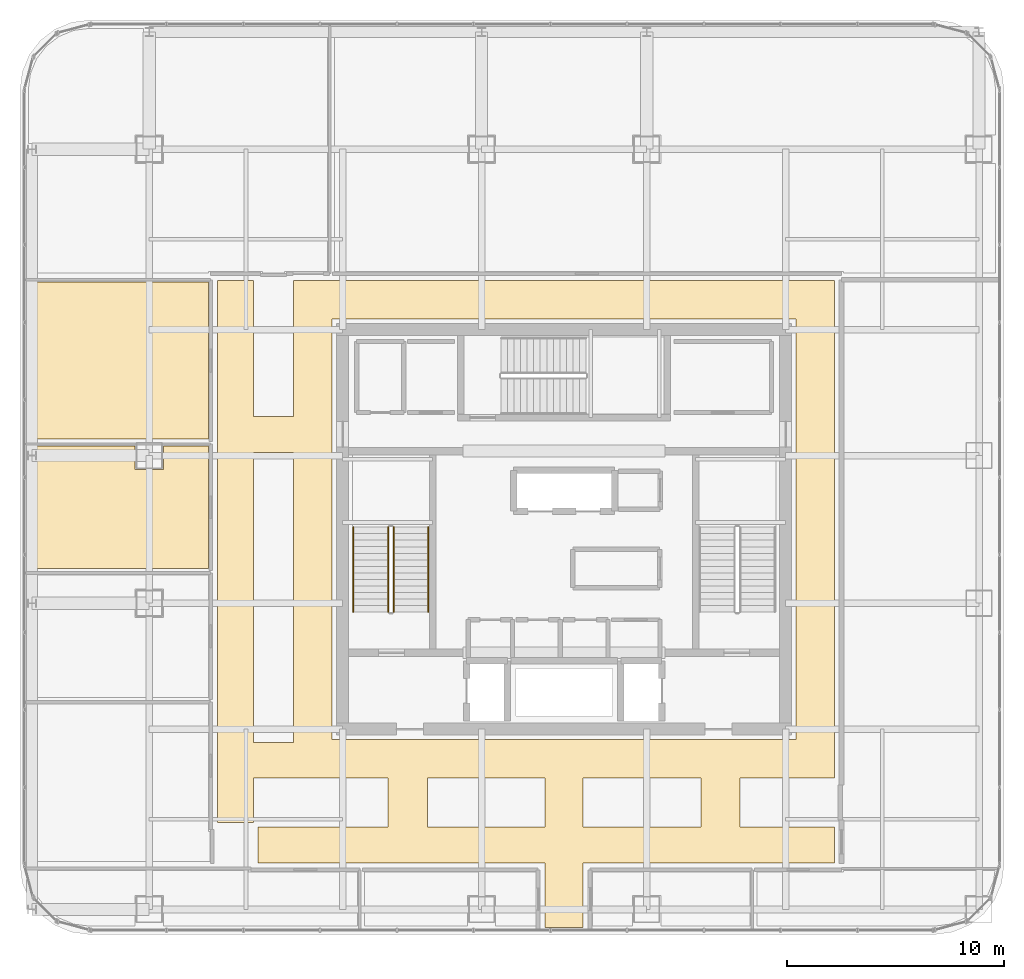
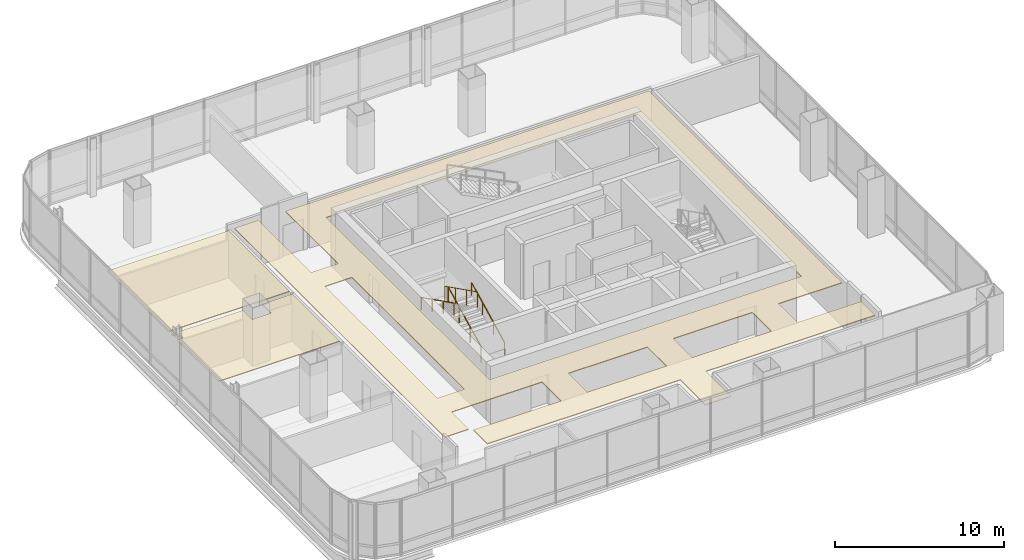
# One storey, part 39 of 42: 4 railings, 3 coverings.
"""IFC4 building model written with IfcOpenShell, lengths in metres."""

from ifc_helpers import new_model, si_unit, direction, frame, origin, origin_2d, place, context, subcontext, project, spatial, polyline, circle, outline, extrude, material, layer, layer_set, type_object, element, save


model = new_model("IFC4")

# Units and contexts
model_context = context("Model", 3, precision=1e-05, world=origin(), true_north=direction((0.0, 1.0)))
body_context = subcontext(model_context, "Body", "Model", "MODEL_VIEW")
ifc_project = project(units=[si_unit("LENGTHUNIT", "METRE"), si_unit("AREAUNIT", "SQUARE_METRE"), si_unit("VOLUMEUNIT", "CUBIC_METRE"), si_unit("PLANEANGLEUNIT", "RADIAN"), si_unit("MASSUNIT", "GRAM", prefix="KILO")], contexts=[model_context])

# Site, building, storey
site_placement = place(None, origin())
site = spatial("IfcSite", under=ifc_project, at=site_placement, CompositionType="ELEMENT")
building_placement = place(site_placement, origin())
building = spatial("IfcBuilding", under=site, at=building_placement, Name="Punatoya Terracotta Tower", CompositionType="ELEMENT")
storey_placement = place(building_placement, frame((0.0, 0.0, 296.39990234375)))
storey = spatial("IfcBuildingStorey", under=building, at=storey_placement, Name="L70", CompositionType="ELEMENT", Elevation=296.39990234375)

# Coverings
ifc_material_1 = material(Name="Acoustic Mineral Fibre Ceiling")
ifc_layer = layer(ifc_material_1, 0.06005859375)
ifc_layer_set = layer_set([ifc_layer], Name="Acoustic Mineral Fibre Ceiling")
covering_type = type_object("IfcCoveringType", Name="COV-CEIL-60", PredefinedType="CEILING", material=ifc_layer_set)
covering_1_placement = place(storey_placement, frame((0.0, 0.0, 3.39013671875)))
element("IfcCovering", 1, at=covering_1_placement, inside=storey, type_object=covering_type, Name="L70 Executive Circulation Corridor Acoustic Ceiling", PredefinedType="CEILING", context=body_context, shape_type="SweptSolid", body=[
    extrude(outline(polyline([(-8.10009765625, -11.449951171875), (-8.10009765625, -13.699951171875), (-14.10009765625, -13.699951171875), (-14.10009765625, -15.35009765625), (-0.8798828125, -15.35009765625), (-0.8798828125, -18.330078125), (0.8798828125, -18.330078125), (0.8798828125, -15.35009765625), (12.449951171875, -15.35009765625), (12.449951171875, -13.699951171875), (8.10009765625, -13.699951171875), (8.10009765625, -11.449951171875), (12.449951171875, -11.449951171875), (12.449951171875, 11.449951171875), (-12.449951171875, 11.449951171875), (-12.449951171875, 5.199951171875), (-14.300048828125, 5.199951171875), (-14.300048828125, 11.449951171875), (-15.949951171875, 11.449951171875), (-15.949951171875, -13.5), (-14.300048828125, -13.5), (-14.300048828125, -11.449951171875), (-8.10009765625, -11.449951171875)]), holes=[polyline([(10.679931640625, 9.679931640625), (10.679931640625, -9.679931640625), (-10.679931640625, -9.679931640625), (-10.679931640625, 9.679931640625), (10.679931640625, 9.679931640625)]), polyline([(6.300048828125, -13.699951171875), (0.8798828125, -13.699951171875), (0.8798828125, -11.449951171875), (6.300048828125, -11.449951171875), (6.300048828125, -13.699951171875)]), polyline([(-0.8798828125, -13.699951171875), (-6.300048828125, -13.699951171875), (-6.300048828125, -11.449951171875), (-0.8798828125, -11.449951171875), (-0.8798828125, -13.699951171875)]), polyline([(-12.449951171875, 3.550048828125), (-12.449951171875, -9.800048828125), (-14.300048828125, -9.800048828125), (-14.300048828125, 3.550048828125), (-12.449951171875, 3.550048828125)])]), origin(), (0.0, 0.0, 1.0), 0.06005859375),
])
covering_2_placement = place(storey_placement, frame((0.0, 0.0, 3.39013671875)))
element("IfcCovering", 2, at=covering_2_placement, inside=storey, type_object=covering_type, Name="L70 Open-Plan Editorial Conference Room Acoustic Ceiling", PredefinedType="CEILING", context=body_context, shape_type="SweptSolid", body=[
    extrude(outline(polyline([(-24.669921875, 3.14208984375), (-24.669921875, -1.7900390625), (-16.3701171875, -1.7900390625), (-16.3701171875, 3.830078125), (-18.449951171875, 3.830078125), (-18.449951171875, 2.75), (-19.75, 2.75), (-19.75, 3.830078125), (-24.669921875, 3.830078125), (-24.669921875, 3.657958984375), (-24.2470703125, 3.657958984375), (-24.2470703125, 3.14208984375), (-24.669921875, 3.14208984375)])), origin(), (0.0, 0.0, 1.0), 0.06005859375),
])
covering_3_placement = place(storey_placement, frame((0.0, 0.0, 3.39013671875)))
element("IfcCovering", 3, at=covering_3_placement, inside=storey, type_object=covering_type, Name="L70 Client Briefing Office Acoustic Ceiling", PredefinedType="CEILING", context=body_context, shape_type="SweptSolid", body=[
    extrude(outline(polyline([(-24.669921875, 11.389892578125), (-24.669921875, 4.14990234375), (-16.3701171875, 4.14990234375), (-16.3701171875, 11.389892578125), (-24.669921875, 11.389892578125)])), origin(), (0.0, 0.0, 1.0), 0.06005859375),
])

# Railings
ifc_material_2 = material(Name="Steel S355", Category="steel")
railing_type_1 = type_object("IfcRailingType", Name="RLG-GRD-1150", PredefinedType="GUARDRAIL", material=ifc_material_2)
railing_1_placement = place(storey_placement, frame((-7.85009765625, -3.800048828125, 0.150146484375)))
element("IfcRailing", 4, at=railing_1_placement, inside=storey, type_object=railing_type_1, Name="L70 ST-1 stair guard 1", PredefinedType="GUARDRAIL", context=body_context, shape_type="SweptSolid", body=[
    extrude(circle(Radius=0.02392578125, at=origin_2d()), frame((0.0, 0.0, 1.1259765625), z_axis=(0.0, 0.894438388696, 0.447191199406), x_axis=(-1.0, 0.0, 0.0)), (0.0, 0.0, 1.0), 4.3603515625),
    extrude(circle(Radius=0.02099609375, at=origin_2d()), origin(), (0.0, 0.0, 1.0), 1.101806640625),
    extrude(circle(Radius=0.02099609375, at=origin_2d()), frame((0.0, 1.300048828125, 0.64990234375)), (0.0, 0.0, 1.0), 1.101806640625),
    extrude(circle(Radius=0.02099609375, at=origin_2d()), frame((0.0, 2.60009765625, 1.300048828125)), (0.0, 0.0, 1.0), 1.101806640625),
    extrude(circle(Radius=0.02099609375, at=origin_2d()), frame((0.0, 3.900146484375, 1.949951171875)), (0.0, 0.0, 1.0), 1.101806640625),
])
railing_2_placement = place(storey_placement, frame((-8.10009765625, 0.10009765625, 2.25)))
element("IfcRailing", 5, at=railing_2_placement, inside=storey, type_object=railing_type_1, Name="L70 ST-1 stair guard 3", PredefinedType="GUARDRAIL", context=body_context, shape_type="SweptSolid", body=[
    extrude(circle(Radius=0.02392578125, at=origin_2d()), frame((0.0, 0.0, 1.1259765625), z_axis=(0.0, -0.894415993023, 0.447235990752), x_axis=(1.0, 0.0, 0.0)), (0.0, 0.0, 1.0), 4.360595703125),
    extrude(circle(Radius=0.02099609375, at=origin_2d()), origin(), (0.0, 0.0, 1.0), 1.101806640625),
    extrude(circle(Radius=0.02099609375, at=origin_2d()), frame((0.0, -1.300048828125, 0.650146484375)), (0.0, 0.0, 1.0), 1.101806640625),
    extrude(circle(Radius=0.02099609375, at=origin_2d()), frame((0.0, -2.60009765625, 1.300048828125)), (0.0, 0.0, 1.0), 1.101806640625),
    extrude(circle(Radius=0.02099609375, at=origin_2d()), frame((0.0, -3.900146484375, 1.9501953125)), (0.0, 0.0, 1.0), 1.101806640625),
])
railing_type_2 = type_object("IfcRailingType", Name="RLG-HND-900", PredefinedType="HANDRAIL", material=ifc_material_2)
railing_3_placement = place(storey_placement, frame((-6.25, -3.800048828125, 0.150146484375)))
element("IfcRailing", 6, at=railing_3_placement, inside=storey, type_object=railing_type_2, Name="L70 ST-1 stair handrail 1", PredefinedType="HANDRAIL", context=body_context, shape_type="SweptSolid", body=[
    extrude(circle(Radius=0.02392578125, at=origin_2d()), frame((0.0, 0.0, 0.8759765625), z_axis=(0.0, 0.894438388696, 0.447191199406), x_axis=(-1.0, 0.0, 0.0)), (0.0, 0.0, 1.0), 4.3603515625),
    extrude(circle(Radius=0.02099609375, at=origin_2d()), origin(), (0.0, 0.0, 1.0), 0.851806640625),
    extrude(circle(Radius=0.02099609375, at=origin_2d()), frame((0.0, 1.300048828125, 0.64990234375)), (0.0, 0.0, 1.0), 0.851806640625),
    extrude(circle(Radius=0.02099609375, at=origin_2d()), frame((0.0, 2.60009765625, 1.300048828125)), (0.0, 0.0, 1.0), 0.851806640625),
    extrude(circle(Radius=0.02099609375, at=origin_2d()), frame((0.0, 3.900146484375, 1.949951171875)), (0.0, 0.0, 1.0), 0.851806640625),
])
railing_4_placement = place(storey_placement, frame((-9.699951171875, 0.10009765625, 2.25)))
element("IfcRailing", 7, at=railing_4_placement, inside=storey, type_object=railing_type_2, Name="L70 ST-1 stair handrail 2", PredefinedType="HANDRAIL", context=body_context, shape_type="SweptSolid", body=[
    extrude(circle(Radius=0.02392578125, at=origin_2d()), frame((0.0, 0.0, 0.8759765625), z_axis=(0.0, -0.894415993023, 0.447235990752), x_axis=(1.0, 0.0, 0.0)), (0.0, 0.0, 1.0), 4.360595703125),
    extrude(circle(Radius=0.02099609375, at=origin_2d()), origin(), (0.0, 0.0, 1.0), 0.851806640625),
    extrude(circle(Radius=0.02099609375, at=origin_2d()), frame((0.0, -1.300048828125, 0.650146484375)), (0.0, 0.0, 1.0), 0.851806640625),
    extrude(circle(Radius=0.02099609375, at=origin_2d()), frame((0.0, -2.60009765625, 1.300048828125)), (0.0, 0.0, 1.0), 0.851806640625),
    extrude(circle(Radius=0.02099609375, at=origin_2d()), frame((0.0, -3.900146484375, 1.9501953125)), (0.0, 0.0, 1.0), 0.851806640625),
])

save(model, "model.ifc")
